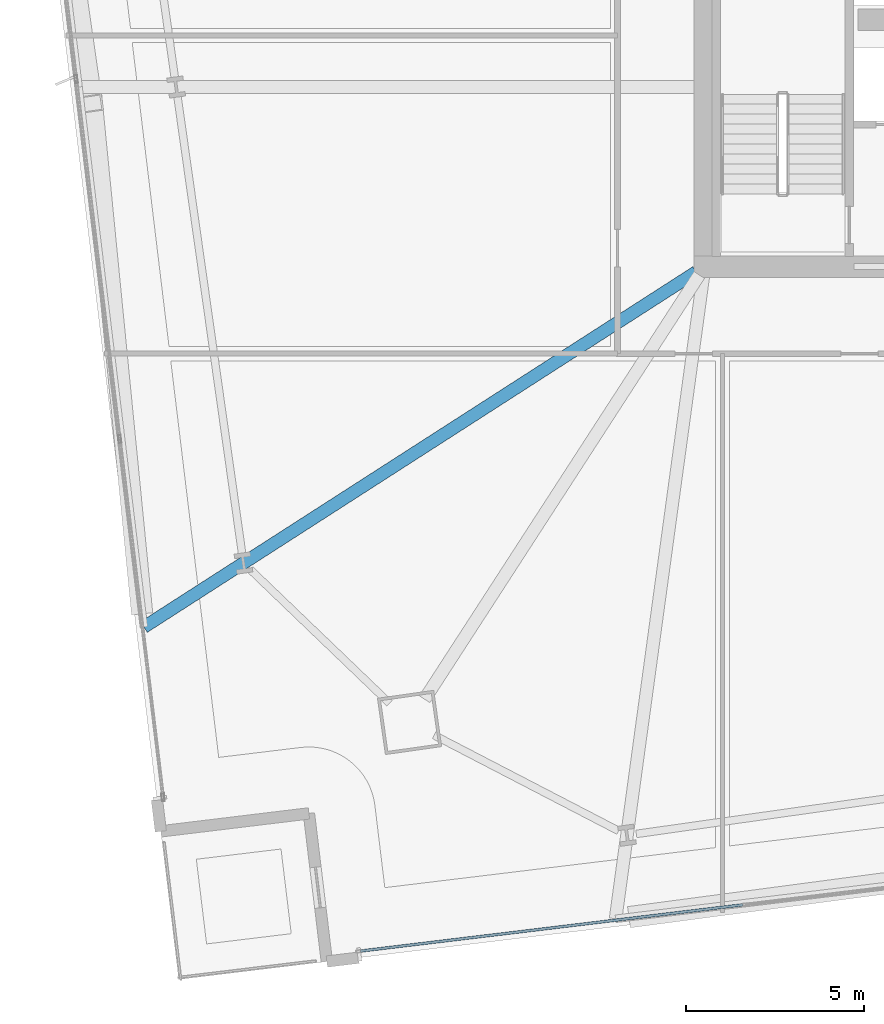
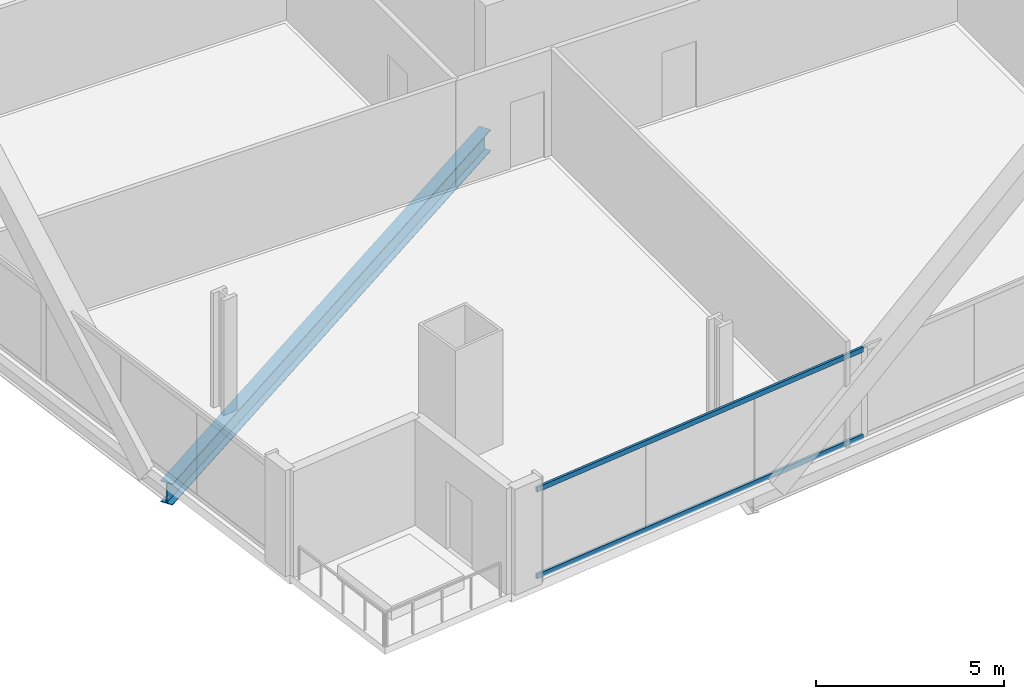
# One storey, part 4 of 33: 2 members, 1 beam, 1 element without a shape of its own.
"""IFC4 building model written with IfcOpenShell, lengths in metres."""

from ifc_helpers import new_model, si_unit, direction, frame, origin, origin_2d, place, context, subcontext, project, spatial, hollow_rectangle, i_section, extrude, material, material_profile, profile_set, type_object, element, aggregate, save


model = new_model("IFC4")

# Units and contexts
model_context = context("Model", 3, precision=1e-05, world=origin(), true_north=direction((0.0, 1.0)))
body_context = subcontext(model_context, "Body", "Model", "MODEL_VIEW")
ifc_project = project(units=[si_unit("LENGTHUNIT", "METRE"), si_unit("AREAUNIT", "SQUARE_METRE"), si_unit("VOLUMEUNIT", "CUBIC_METRE"), si_unit("PLANEANGLEUNIT", "RADIAN"), si_unit("MASSUNIT", "GRAM", prefix="KILO")], contexts=[model_context])

# Site, building, storey
site_placement = place(None, origin())
site = spatial("IfcSite", under=ifc_project, at=site_placement, CompositionType="ELEMENT")
building_placement = place(site_placement, origin())
building = spatial("IfcBuilding", under=site, at=building_placement, Name="Haldenkirk Collegiate Tower", CompositionType="ELEMENT")
storey_placement = place(building_placement, frame((0.0, 0.0, 51.449951171875)))
storey = spatial("IfcBuildingStorey", under=building, at=storey_placement, Name="L11", CompositionType="ELEMENT", Elevation=51.449951171875)

# Beam
ifc_material_1 = material(Name="Steel ASTM A992 Grade 50", Category="steel")
ifc_material_profile_1 = material_profile(ifc_material_1, i_section(OverallWidth=0.35498046875, OverallDepth=0.696044921875, WebThickness=0.015380859375, FlangeThickness=0.02490234375, at=origin_2d()), Name="W27X146")
ifc_profile_set_1 = profile_set([ifc_material_profile_1], Name="Steel ASTM A992 Grade 50")
beam_type = type_object("IfcBeamType", Name="BM-GIRDER-W27X146", PredefinedType="BEAM", material=ifc_profile_set_1)
beam_placement = place(storey_placement, frame((11.22021484375, 7.856201171875, -0.657958984375), z_axis=(0.841184914302, 0.540747575076, 0.0), x_axis=(-0.540747575076, 0.841184914302, 0.0)))
element("IfcBeam", 1, at=beam_placement, inside=storey, type_object=beam_type, Name="L11 primary floor girder 16", PredefinedType="BEAM", context=body_context, shape_type="SweptSolid", body=[
    extrude(i_section(OverallWidth=0.35498046875, OverallDepth=0.696044921875, WebThickness=0.015380859375, FlangeThickness=0.02490234375, at=origin_2d()), origin(), (0.0, 0.0, 1.0), 18.47900390625),
])

# Curtain wall, members
ifc_material_2 = material(Name="Anodised architectural bronze aluminium", Category="aluminium")
curtain_wall_type = type_object("IfcCurtainWallType", Name="CW-SYS2-CONCAVE", PredefinedType="USERDEFINED", material=ifc_material_2)
curtain_wall_placement = place(storey_placement, origin())
curtain_wall = element("IfcCurtainWall", 2, at=curtain_wall_placement, inside=storey, type_object=curtain_wall_type, Name="L11 South concave recessed bronze-anodised curtain wall", ObjectType="UNITISED CURTAIN WALL", PredefinedType="USERDEFINED")
ifc_material_profile_2 = material_profile(ifc_material_2, hollow_rectangle(XDim=0.074951171875, YDim=0.159912109375, WallThickness=0.0048828125, at=origin_2d()), Name="CW-TRN-02")
ifc_profile_set_2 = profile_set([ifc_material_profile_2], Name="Anodised architectural bronze aluminium")
member_type = type_object("IfcMemberType", Name="CW-TRN-02", PredefinedType="USERDEFINED", material=ifc_profile_set_2)
member_1_placement = place(storey_placement, frame((28.073974609375, 0.039794921875, 0.03759765625), z_axis=(-0.992757167222, -0.12013828253, 0.0), x_axis=(0.12013828253, -0.992757167222, 0.0)))
member_1 = element("IfcMember", 3, at=member_1_placement, type_object=member_type, Name="CW-02 transom 4.1", ObjectType="TRANSOM", PredefinedType="USERDEFINED", context=body_context, shape_type="SweptSolid", body=[
    extrude(hollow_rectangle(XDim=0.074951171875, YDim=0.159912109375, WallThickness=0.0048828125, at=origin_2d()), origin(), (0.0, 0.0, 1.0), 10.837646484375),
])
member_2_placement = place(storey_placement, frame((28.073974609375, 0.039794921875, 2.853515625), z_axis=(-0.992757167222, -0.12013828253, 0.0), x_axis=(0.12013828253, -0.992757167222, 0.0)))
member_2 = element("IfcMember", 4, at=member_2_placement, type_object=member_type, Name="CW-02 transom 4.2", ObjectType="TRANSOM", PredefinedType="USERDEFINED", context=body_context, shape_type="SweptSolid", body=[
    extrude(hollow_rectangle(XDim=0.074951171875, YDim=0.159912109375, WallThickness=0.0048828125, at=origin_2d()), origin(), (0.0, 0.0, 1.0), 10.837646484375),
])
aggregate(curtain_wall, [member_1, member_2])

save(model, "model.ifc")
